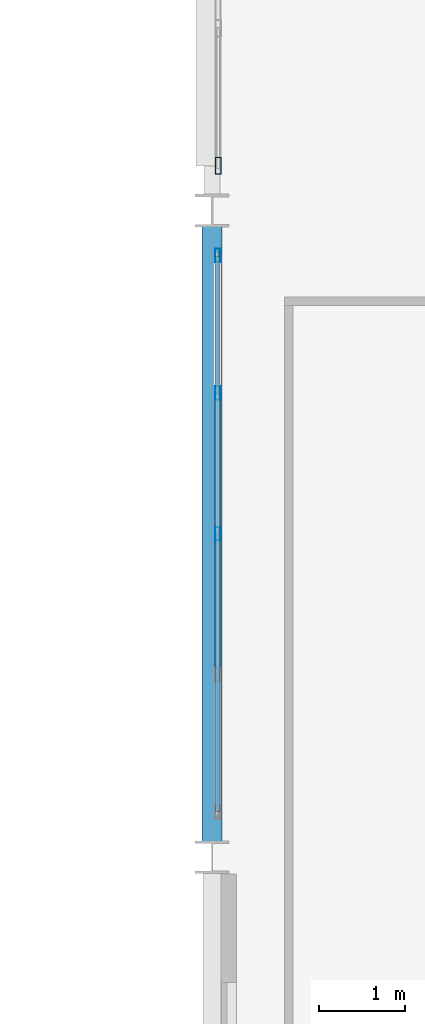
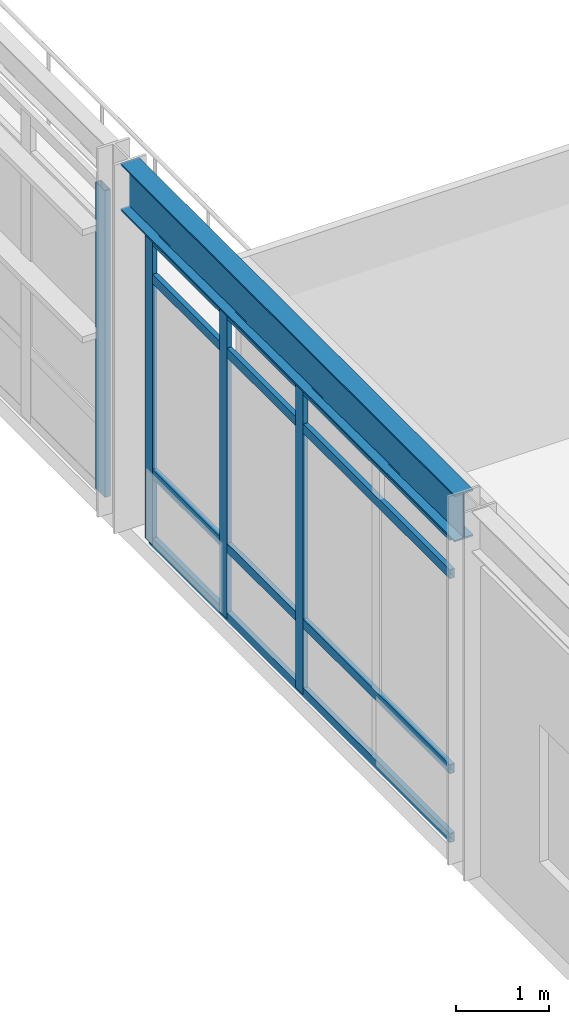
# One storey, part 17 of 56: 8 members, 1 beam, 2 elements without a shape of their own.
"""IFC4 building model written with IfcOpenShell, lengths in metres."""

from ifc_helpers import new_model, si_unit, direction, frame, origin, origin_2d, place, context, subcontext, project, spatial, hollow_rectangle, i_section, extrude, material, material_profile, profile_set, type_object, element, aggregate, save


model = new_model("IFC4")

# Units and contexts
model_context = context("Model", 3, precision=1e-05, world=origin(), true_north=direction((0.0, 1.0)))
body_context = subcontext(model_context, "Body", "Model", "MODEL_VIEW")
ifc_project = project(units=[si_unit("LENGTHUNIT", "METRE"), si_unit("AREAUNIT", "SQUARE_METRE"), si_unit("VOLUMEUNIT", "CUBIC_METRE"), si_unit("PLANEANGLEUNIT", "RADIAN"), si_unit("MASSUNIT", "GRAM", prefix="KILO"), si_unit("THERMODYNAMICTEMPERATUREUNIT", "KELVIN"), si_unit("POWERUNIT", "WATT")], contexts=[model_context])

# Site, building, storey
site_placement = place(None, origin())
site = spatial("IfcSite", under=ifc_project, at=site_placement, CompositionType="ELEMENT")
building_placement = place(site_placement, origin())
building = spatial("IfcBuilding", under=site, at=building_placement, Name="Tepalcoro Natatorium and Aquatics Centre", CompositionType="ELEMENT")
storey_placement = place(building_placement, frame((0.0, 0.0, 14.800048828125)))
storey = spatial("IfcBuildingStorey", under=building, at=storey_placement, Name="L03", CompositionType="ELEMENT", Elevation=14.800048828125)

# Curtain wall, members
ifc_material_1 = material(Name="Bronze-Anodised Extruded Aluminium Alloy EN AW-6063 T6", Category="aluminium")
curtain_wall_type_1 = type_object("IfcCurtainWallType", Name="CW_LEAN_T1_NS", PredefinedType="USERDEFINED", material=ifc_material_1)
curtain_wall_1_placement = place(storey_placement, origin())
curtain_wall_1 = element("IfcCurtainWall", 1, at=curtain_wall_1_placement, inside=storey, type_object=curtain_wall_type_1, Name="V2 L03 W Unitised Curtain Wall Bay 2", ObjectType="FACETED SOLAR GLAZING", PredefinedType="USERDEFINED")
ifc_material_profile_1 = material_profile(ifc_material_1, hollow_rectangle(XDim=0.06005859375, YDim=0.159912109375, WallThickness=0.00390625, at=origin_2d()), Name="AL60X160X4")
ifc_profile_set_1 = profile_set([ifc_material_profile_1], Name="Bronze-Anodised Extruded Aluminium Alloy EN AW-6063 T6")
member_type_1 = type_object("IfcMemberType", Name="CW_MUL_60x160", PredefinedType="MULLION", material=ifc_profile_set_1)
member_1_placement = place(storey_placement, frame((142.06494140625, 16.75, 0.02001953125), z_axis=(0.0, 0.0, 1.0), x_axis=(1.0, 0.0, 0.0)))
member_1 = element("IfcMember", 2, at=member_1_placement, type_object=member_type_1, Name="CW_LEAN_T1_NS Curtain Wall Mullion", PredefinedType="MULLION", context=body_context, shape_type="SweptSolid", body=[
    extrude(hollow_rectangle(XDim=0.06005859375, YDim=0.159912109375, WallThickness=0.00390625, at=origin_2d()), origin(), (0.0, 0.0, 1.0), 4.010009765625),
])
member_2_placement = place(storey_placement, frame((142.06494140625, 18.385009765625, 0.02001953125), z_axis=(0.0, 0.0, 1.0), x_axis=(1.0, 0.0, 0.0)))
member_2 = element("IfcMember", 3, at=member_2_placement, type_object=member_type_1, Name="CW_LEAN_T1_NS Curtain Wall Mullion", PredefinedType="MULLION", context=body_context, shape_type="SweptSolid", body=[
    extrude(hollow_rectangle(XDim=0.06005859375, YDim=0.159912109375, WallThickness=0.00390625, at=origin_2d()), origin(), (0.0, 0.0, 1.0), 4.010009765625),
])
member_3_placement = place(storey_placement, frame((142.06494140625, 19.97998046875, 0.02001953125), z_axis=(0.0, 0.0, 1.0), x_axis=(1.0, 0.0, 0.0)))
member_3 = element("IfcMember", 4, at=member_3_placement, type_object=member_type_1, Name="CW_LEAN_T1_NS Curtain Wall Mullion", PredefinedType="MULLION", context=body_context, shape_type="SweptSolid", body=[
    extrude(hollow_rectangle(XDim=0.06005859375, YDim=0.159912109375, WallThickness=0.00390625, at=origin_2d()), origin(), (0.0, 0.0, 1.0), 4.010009765625),
])

# Curtain wall, member
curtain_wall_type_2 = type_object("IfcCurtainWallType", Name="CW_LEAN_T1_EW", PredefinedType="USERDEFINED", material=ifc_material_1)
curtain_wall_2_placement = place(storey_placement, origin())
curtain_wall_2 = element("IfcCurtainWall", 5, at=curtain_wall_2_placement, inside=storey, type_object=curtain_wall_type_2, Name="V2 L03 W Unitised Curtain Wall Bay 3", ObjectType="FACETED SOLAR GLAZING", PredefinedType="USERDEFINED")
ifc_material_profile_2 = material_profile(ifc_material_1, hollow_rectangle(XDim=0.070068359375, YDim=0.199951171875, WallThickness=0.0048828125, at=origin_2d()), Name="AL70X200X5")
ifc_profile_set_2 = profile_set([ifc_material_profile_2], Name="Bronze-Anodised Extruded Aluminium Alloy EN AW-6063 T6")
member_type_2 = type_object("IfcMemberType", Name="CW_MUL_70x200", PredefinedType="MULLION", material=ifc_profile_set_2)
member_4_placement = place(storey_placement, frame((142.0712890625, 21.02001953125, 0.02001953125), z_axis=(0.0, 0.0, 1.0), x_axis=(1.0, 0.0, 0.0)))
member_4 = element("IfcMember", 6, at=member_4_placement, type_object=member_type_2, Name="CW_LEAN_T1_EW Curtain Wall Mullion", PredefinedType="MULLION", context=body_context, shape_type="SweptSolid", body=[
    extrude(hollow_rectangle(XDim=0.070068359375, YDim=0.199951171875, WallThickness=0.0048828125, at=origin_2d()), origin(), (0.0, 0.0, 1.0), 4.010009765625),
])
aggregate(curtain_wall_2, [member_4])

# Member
ifc_material_profile_3 = material_profile(ifc_material_1, hollow_rectangle(XDim=0.06005859375, YDim=0.1201171875, WallThickness=0.00390625, at=origin_2d()), Name="AL60X120X4")
ifc_profile_set_3 = profile_set([ifc_material_profile_3], Name="Bronze-Anodised Extruded Aluminium Alloy EN AW-6063 T6")
member_type_3 = type_object("IfcMemberType", Name="CW_TRN_60x120", PredefinedType="USERDEFINED", material=ifc_profile_set_3)
member_5_placement = place(storey_placement, frame((142.06494140625, 13.530029296875, 0.050048828125), z_axis=(0.0, 1.0, 0.0), x_axis=(-1.0, 0.0, 0.0)))
member_5 = element("IfcMember", 7, at=member_5_placement, type_object=member_type_3, Name="CW_LEAN_T1_NS Curtain Wall Transom", ObjectType="TRANSOM", PredefinedType="USERDEFINED", context=body_context, shape_type="SweptSolid", body=[
    extrude(hollow_rectangle(XDim=0.06005859375, YDim=0.1201171875, WallThickness=0.00390625, at=origin_2d()), origin(), (0.0, 0.0, 1.0), 6.43994140625),
])

member_6_placement = place(storey_placement, frame((142.06494140625, 13.530029296875, 0.949951171875), z_axis=(0.0, 1.0, 0.0), x_axis=(-1.0, 0.0, 0.0)))
member_6 = element("IfcMember", 8, at=member_6_placement, type_object=member_type_3, Name="CW_LEAN_T1_NS Curtain Wall Transom", ObjectType="TRANSOM", PredefinedType="USERDEFINED", context=body_context, shape_type="SweptSolid", body=[
    extrude(hollow_rectangle(XDim=0.06005859375, YDim=0.1201171875, WallThickness=0.00390625, at=origin_2d()), origin(), (0.0, 0.0, 1.0), 6.43994140625),
])

member_7_placement = place(storey_placement, frame((142.06494140625, 13.530029296875, 3.5), z_axis=(0.0, 1.0, 0.0), x_axis=(-1.0, 0.0, 0.0)))
member_7 = element("IfcMember", 9, at=member_7_placement, type_object=member_type_3, Name="CW_LEAN_T1_NS Curtain Wall Transom", ObjectType="TRANSOM", PredefinedType="USERDEFINED", context=body_context, shape_type="SweptSolid", body=[
    extrude(hollow_rectangle(XDim=0.06005859375, YDim=0.1201171875, WallThickness=0.00390625, at=origin_2d()), origin(), (0.0, 0.0, 1.0), 6.43994140625),
])

member_8_placement = place(storey_placement, frame((142.06494140625, 13.530029296875, 4.0), z_axis=(0.0, 1.0, 0.0), x_axis=(-1.0, 0.0, 0.0)))
member_8 = element("IfcMember", 10, at=member_8_placement, type_object=member_type_3, Name="CW_LEAN_T1_NS Curtain Wall Transom", ObjectType="TRANSOM", PredefinedType="USERDEFINED", context=body_context, shape_type="SweptSolid", body=[
    extrude(hollow_rectangle(XDim=0.06005859375, YDim=0.1201171875, WallThickness=0.00390625, at=origin_2d()), origin(), (0.0, 0.0, 1.0), 6.43994140625),
])

aggregate(curtain_wall_1, [member_1, member_2, member_3, member_5, member_6, member_7, member_8])

# Beam
ifc_material_2 = material(Name="Steel ASTM A992 Grade 50 (Fy 345 MPa)", Category="steel")
ifc_material_profile_4 = material_profile(ifc_material_2, i_section(OverallWidth=0.22900390625, OverallDepth=0.612060546875, WebThickness=0.011962890625, FlangeThickness=0.02001953125, FilletRadius=0.013916015625, at=origin_2d()), Name="W24X84")
ifc_profile_set_4 = profile_set([ifc_material_profile_4], Name="Steel ASTM A992 Grade 50 (Fy 345 MPa)")
beam_type = type_object("IfcBeamType", Name="SP_W24x84", PredefinedType="SPANDREL", material=ifc_profile_set_4)
beam_placement = place(storey_placement, frame((142.0, 13.1669921875, 4.4990234375), z_axis=(0.0, 1.0, 0.0), x_axis=(-1.0, 0.0, 0.0)))
element("IfcBeam", 11, at=beam_placement, inside=storey, type_object=beam_type, Name="V2 L03 Grid Girder Y", PredefinedType="SPANDREL", context=body_context, shape_type="SweptSolid", body=[
    extrude(i_section(OverallWidth=0.22900390625, OverallDepth=0.612060546875, WebThickness=0.011962890625, FlangeThickness=0.02001953125, FilletRadius=0.013916015625, at=origin_2d()), origin(), (0.0, 0.0, 1.0), 7.160888671875),
])

save(model, "model.ifc")
